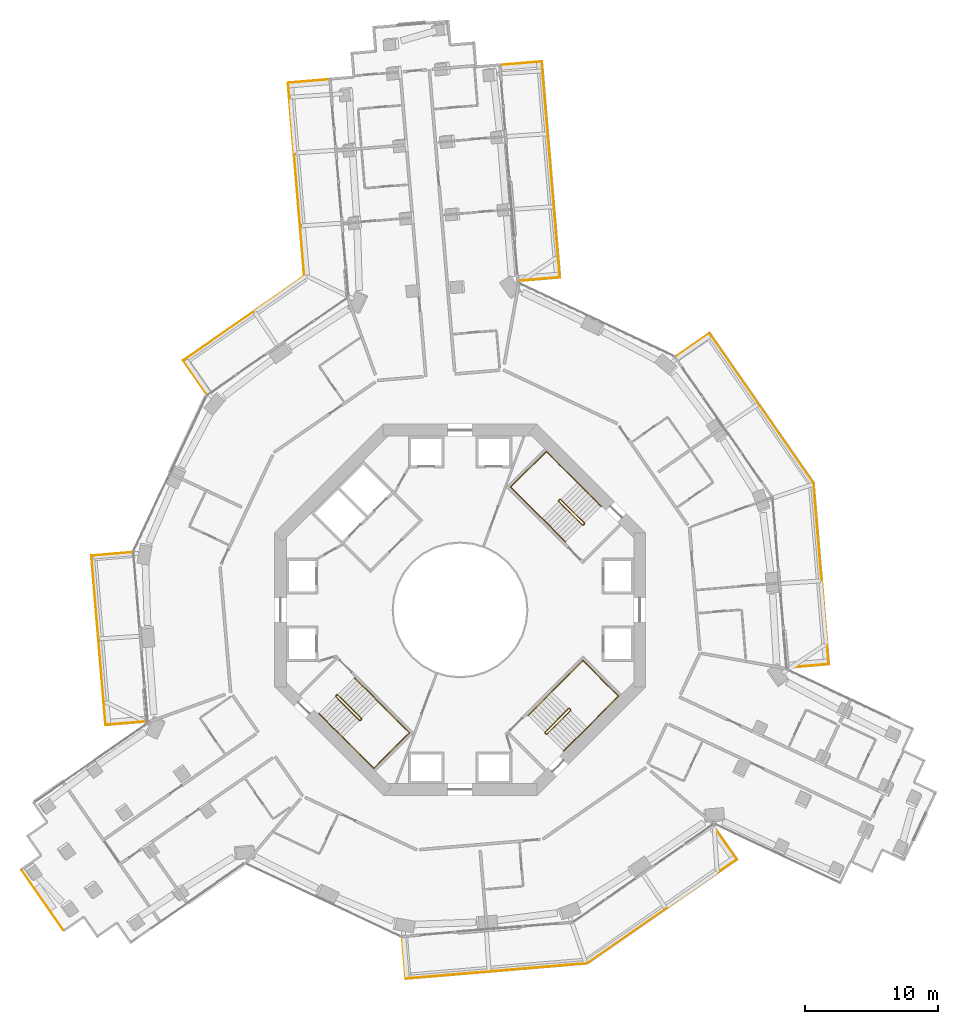
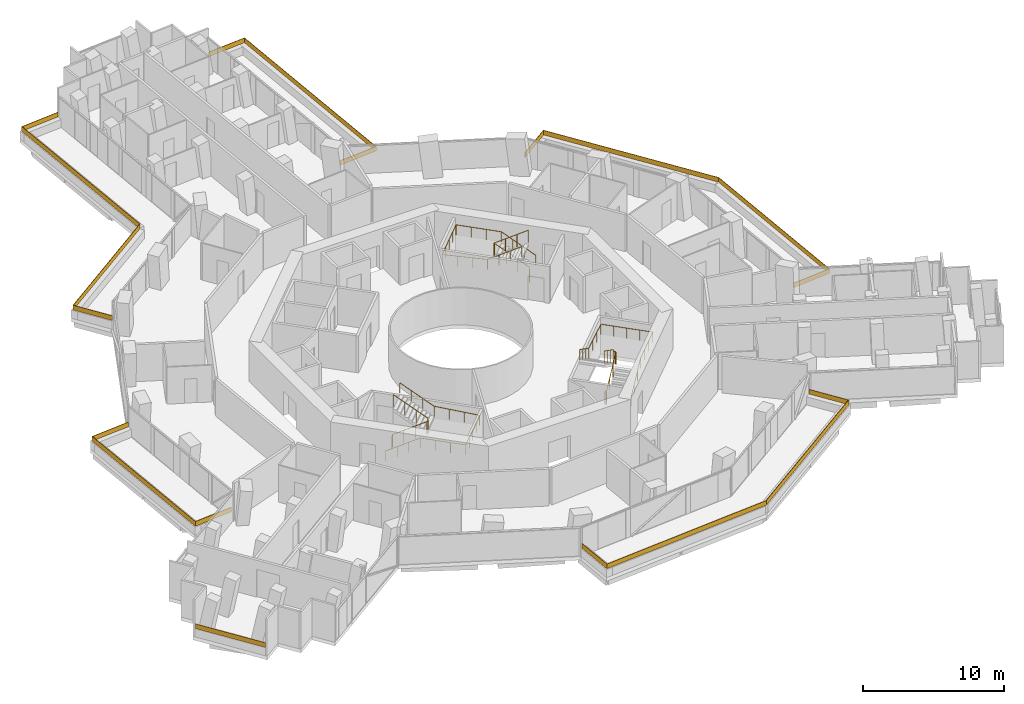
# One storey, part 26 of 26: 12 railings.
"""IFC4 building model written with IfcOpenShell, lengths in metres."""

from ifc_helpers import new_model, si_unit, direction, frame, origin, origin_2d, place, context, subcontext, project, spatial, polyline, rectangle, circle, outline, extrude, material, layer, layer_set, type_object, element, save


model = new_model("IFC4")

# Units and contexts
model_context = context("Model", 3, precision=1e-05, world=origin(), true_north=direction((0.0, 1.0)))
body_context = subcontext(model_context, "Body", "Model", "MODEL_VIEW")
ifc_project = project(units=[si_unit("LENGTHUNIT", "METRE"), si_unit("AREAUNIT", "SQUARE_METRE"), si_unit("VOLUMEUNIT", "CUBIC_METRE"), si_unit("PLANEANGLEUNIT", "RADIAN"), si_unit("MASSUNIT", "GRAM", prefix="KILO")], contexts=[model_context])

# Site, building, storey
site_placement = place(None, origin())
site = spatial("IfcSite", under=ifc_project, at=site_placement, CompositionType="ELEMENT")
building_placement = place(site_placement, origin())
building = spatial("IfcBuilding", under=site, at=building_placement, Name="Verdalira Terraces Hotel", CompositionType="ELEMENT")
storey_placement = place(building_placement, frame((0.0, 0.0, 53.0)))
storey = spatial("IfcBuildingStorey", under=building, at=storey_placement, Name="L11", CompositionType="ELEMENT", Elevation=53.0)

# Railings
ifc_material_1 = material(Name="Laminated glass", Category="glass")
ifc_layer = layer(ifc_material_1, 0.0400390625)
ifc_layer_set = layer_set([ifc_layer], Name="Balcony glass guard 400")
railing_type_1 = type_object("IfcRailingType", Name="Balcony glass guard 400", PredefinedType="GUARDRAIL", material=ifc_layer_set)
railing_1_placement = place(storey_placement, frame((0.0, 0.0, 0.699951)))
element("IfcRailing", 1, at=railing_1_placement, inside=storey, type_object=railing_type_1, Name="Balcony glass guard", PredefinedType="GUARDRAIL", context=body_context, shape_type="SweptSolid", body=[
    extrude(outline(polyline([(-12.949707, 39.726807), (-11.725098, 25.143555), (-20.841309, 18.807617), (-19.083984, 16.279297), (-19.116943, 16.256592), (-20.896973, 18.817627), (-11.766846, 25.16333), (-12.99292, 39.763184), (-9.884766, 40.02417), (-9.881348, 39.984375), (-12.949707, 39.726807)])), origin(), (0.0, 0.0, 1.0), 0.400146),
])
railing_2_placement = place(storey_placement, frame((0.0, 0.0, 0.699951)))
element("IfcRailing", 2, at=railing_2_placement, inside=storey, type_object=railing_type_1, Name="Balcony glass guard", PredefinedType="GUARDRAIL", context=body_context, shape_type="SweptSolid", body=[
    extrude(outline(polyline([(-27.776367, 4.070068), (-26.708496, -8.645264), (-23.640381, -8.387695), (-23.636963, -8.42749), (-26.745117, -8.688477), (-27.81958, 4.106445), (-24.711426, 4.367432), (-24.708008, 4.327637), (-27.776367, 4.070068)])), origin(), (0.0, 0.0, 1.0), 0.400146),
])
railing_3_placement = place(storey_placement, frame((0.0, 0.0, 0.699951)))
element("IfcRailing", 3, at=railing_3_placement, inside=storey, type_object=railing_type_1, Name="Balcony glass guard", PredefinedType="GUARDRAIL", context=body_context, shape_type="SweptSolid", body=[
    extrude(outline(polyline([(-4.070068, -27.776367), (9.587158, -26.629395), (20.841309, -18.807617), (19.083984, -16.279297), (19.116943, -16.256592), (20.896973, -18.817627), (9.601318, -26.668457), (-4.106445, -27.81958), (-4.367432, -24.711426), (-4.327637, -24.708008), (-4.070068, -27.776367)])), origin(), (0.0, 0.0, 1.0), 0.400146),
])
railing_4_placement = place(storey_placement, frame((0.0, 0.0, 0.699951)))
element("IfcRailing", 4, at=railing_4_placement, inside=storey, type_object=railing_type_1, Name="Balcony glass guard", PredefinedType="GUARDRAIL", context=body_context, shape_type="SweptSolid", body=[
    extrude(outline(polyline([(27.776367, -4.070068), (26.629395, 9.587158), (18.807617, 20.841309), (16.279297, 19.083984), (16.256592, 19.116943), (18.817627, 20.896973), (26.668457, 9.601318), (27.81958, -4.106445), (24.711426, -4.367432), (24.708008, -4.327637), (27.776367, -4.070068)])), origin(), (0.0, 0.0, 1.0), 0.400146),
])
railing_5_placement = place(storey_placement, frame((0.0, 0.0, 0.699951)))
element("IfcRailing", 5, at=railing_5_placement, inside=storey, type_object=railing_type_1, Name="Balcony glass guard", PredefinedType="GUARDRAIL", context=body_context, shape_type="SweptSolid", body=[
    extrude(outline(polyline([(7.506592, 25.094482), (6.143066, 41.330078), (3.074951, 41.072266), (3.071533, 41.112305), (6.179688, 41.373291), (7.549561, 25.057861), (4.44165, 24.796875), (4.438232, 24.836914), (7.506592, 25.094482)])), origin(), (0.0, 0.0, 1.0), 0.400146),
])
railing_6_placement = place(storey_placement, frame((-31.483643, -21.881836, 0.699951), z_axis=(0.0, 0.0, 1.0), x_axis=(0.570713568, -0.821149209, 0.0)))
element("IfcRailing", 6, at=railing_6_placement, inside=storey, type_object=railing_type_1, Name="Loggia glass guard", PredefinedType="GUARDRAIL", context=body_context, shape_type="SweptSolid", body=[
    extrude(rectangle(XDim=5.5, YDim=0.040039, at=origin_2d()), origin(), (0.0, 0.0, 1.0), 0.399902),
])
ifc_material_2 = material(Name="Stainless steel", Category="steel")
railing_type_2 = type_object("IfcRailingType", Name="Stair guard 1100", PredefinedType="GUARDRAIL", material=ifc_material_2)
railing_7_placement = place(storey_placement, frame((9.369141, 6.469971, 0.0)))
element("IfcRailing", 7, at=railing_7_placement, inside=storey, type_object=railing_type_2, Name="L11 ST1 stair guard 1", PredefinedType="GUARDRAIL", context=body_context, shape_type="SweptSolid", body=[
    extrude(circle(Radius=0.023926, at=origin_2d()), frame((0.0, 0.0, 1.076172), z_axis=(-0.70832698, -0.705884473, 0.0), x_axis=(0.705884473, -0.70832698, 0.0)), (0.0, 0.0, 1.0), 0.099854),
    extrude(circle(Radius=0.023926, at=origin_2d()), frame((-0.070801, -0.070557, 1.076172), z_axis=(0.300162975, 0.599290904, 0.742127078), x_axis=(-0.894118129, 0.447831187, 0.0)), (0.0, 0.0, 1.0), 0.23584),
    extrude(circle(Radius=0.023926, at=origin_2d()), frame((0.0, 0.070801, 1.250977), z_axis=(-0.599637504, 0.599637504, 0.52997144), x_axis=(-0.707106781, -0.707106781, 0.0)), (0.0, 0.0, 1.0), 2.97168),
    extrude(circle(Radius=0.023926, at=origin_2d()), frame((-1.781982, 1.852783, 2.826172), z_axis=(-1.0, 0.0, 0.0), x_axis=(0.0, -1.0, 0.0)), (0.0, 0.0, 1.0), 0.070557),
    extrude(circle(Radius=0.023926, at=origin_2d()), frame((-1.852539, 1.852783, 2.826172), z_axis=(-0.707106781, -0.707106781, 0.0), x_axis=(0.707106781, -0.707106781, 0.0)), (0.0, 0.0, 1.0), 0.100098),
    extrude(circle(Radius=0.023926, at=origin_2d()), frame((-1.92334, 1.781982, 2.826172), z_axis=(0.0, -0.374954687, 0.92704314), x_axis=(1.0, 0.0, 0.0)), (0.0, 0.0, 1.0), 0.188721),
    extrude(circle(Radius=0.023926, at=origin_2d()), frame((-1.92334, 1.711182, 3.000977), z_axis=(0.599667044, -0.599584886, 0.529997548), x_axis=(0.707058338, 0.707155221, 0.0)), (0.0, 0.0, 1.0), 2.97168),
    extrude(circle(Radius=0.020996, at=origin_2d()), origin(), (0.0, 0.0, 1.0), 1.052002),
    extrude(circle(Radius=0.020996, at=origin_2d()), frame((-0.070801, -0.070557, 0.0)), (0.0, 0.0, 1.0), 1.052002),
    extrude(circle(Radius=0.020996, at=origin_2d()), frame((0.0, 0.070801, 0.175049)), (0.0, 0.0, 1.0), 1.052002),
    extrude(circle(Radius=0.020996, at=origin_2d()), frame((-0.593994, 0.664795, 0.699951)), (0.0, 0.0, 1.0), 1.052002),
    extrude(circle(Radius=0.020996, at=origin_2d()), frame((-1.187988, 1.258789, 1.225098)), (0.0, 0.0, 1.0), 1.052002),
    extrude(circle(Radius=0.020996, at=origin_2d()), frame((-1.781982, 1.852783, 1.75)), (0.0, 0.0, 1.0), 1.052002),
    extrude(circle(Radius=0.020996, at=origin_2d()), frame((-1.852539, 1.852783, 1.75)), (0.0, 0.0, 1.0), 1.052002),
    extrude(circle(Radius=0.020996, at=origin_2d()), frame((-1.92334, 1.781982, 1.75)), (0.0, 0.0, 1.0), 1.052002),
    extrude(circle(Radius=0.020996, at=origin_2d()), frame((-1.92334, 1.711182, 1.925049)), (0.0, 0.0, 1.0), 1.052002),
    extrude(circle(Radius=0.020996, at=origin_2d()), frame((-1.329346, 1.117188, 2.449951)), (0.0, 0.0, 1.0), 1.052002),
    extrude(circle(Radius=0.020996, at=origin_2d()), frame((-0.735352, 0.523438, 2.975098)), (0.0, 0.0, 1.0), 1.052002),
    extrude(circle(Radius=0.020996, at=origin_2d()), frame((-0.141357, -0.070557, 3.5)), (0.0, 0.0, 1.0), 1.052002),
])
railing_8_placement = place(storey_placement, frame((-9.369141, -6.469971, 0.0)))
element("IfcRailing", 8, at=railing_8_placement, inside=storey, type_object=railing_type_2, Name="L11 ST2 stair guard 1", PredefinedType="GUARDRAIL", context=body_context, shape_type="SweptSolid", body=[
    extrude(circle(Radius=0.023926, at=origin_2d()), frame((0.0, 0.0, 1.076172), z_axis=(0.70832698, 0.705884473, 0.0), x_axis=(-0.705884473, 0.70832698, 0.0)), (0.0, 0.0, 1.0), 0.099854),
    extrude(circle(Radius=0.023926, at=origin_2d()), frame((0.070801, 0.070557, 1.076172), z_axis=(-0.300162975, -0.599290904, 0.742127078), x_axis=(0.894118129, -0.447831187, 0.0)), (0.0, 0.0, 1.0), 0.23584),
    extrude(circle(Radius=0.023926, at=origin_2d()), frame((0.0, -0.070801, 1.250977), z_axis=(0.599637504, -0.599637504, 0.52997144), x_axis=(0.707106781, 0.707106781, 0.0)), (0.0, 0.0, 1.0), 2.97168),
    extrude(circle(Radius=0.023926, at=origin_2d()), frame((1.781982, -1.852783, 2.826172), z_axis=(1.0, 0.0, 0.0), x_axis=(0.0, 1.0, 0.0)), (0.0, 0.0, 1.0), 0.070557),
    extrude(circle(Radius=0.023926, at=origin_2d()), frame((1.852539, -1.852783, 2.826172), z_axis=(0.707106781, 0.707106781, 0.0), x_axis=(-0.707106781, 0.707106781, 0.0)), (0.0, 0.0, 1.0), 0.100098),
    extrude(circle(Radius=0.023926, at=origin_2d()), frame((1.92334, -1.781982, 2.826172), z_axis=(0.0, 0.374954687, 0.92704314), x_axis=(-1.0, 0.0, 0.0)), (0.0, 0.0, 1.0), 0.188721),
    extrude(circle(Radius=0.023926, at=origin_2d()), frame((1.92334, -1.711182, 3.000977), z_axis=(-0.599667044, 0.599584886, 0.529997548), x_axis=(-0.707058338, -0.707155221, 0.0)), (0.0, 0.0, 1.0), 2.97168),
    extrude(circle(Radius=0.020996, at=origin_2d()), origin(), (0.0, 0.0, 1.0), 1.052002),
    extrude(circle(Radius=0.020996, at=origin_2d()), frame((0.070801, 0.070557, 0.0)), (0.0, 0.0, 1.0), 1.052002),
    extrude(circle(Radius=0.020996, at=origin_2d()), frame((0.0, -0.070801, 0.175049)), (0.0, 0.0, 1.0), 1.052002),
    extrude(circle(Radius=0.020996, at=origin_2d()), frame((0.593994, -0.664795, 0.699951)), (0.0, 0.0, 1.0), 1.052002),
    extrude(circle(Radius=0.020996, at=origin_2d()), frame((1.187988, -1.258789, 1.225098)), (0.0, 0.0, 1.0), 1.052002),
    extrude(circle(Radius=0.020996, at=origin_2d()), frame((1.781982, -1.852783, 1.75)), (0.0, 0.0, 1.0), 1.052002),
    extrude(circle(Radius=0.020996, at=origin_2d()), frame((1.852539, -1.852783, 1.75)), (0.0, 0.0, 1.0), 1.052002),
    extrude(circle(Radius=0.020996, at=origin_2d()), frame((1.92334, -1.781982, 1.75)), (0.0, 0.0, 1.0), 1.052002),
    extrude(circle(Radius=0.020996, at=origin_2d()), frame((1.92334, -1.711182, 1.925049)), (0.0, 0.0, 1.0), 1.052002),
    extrude(circle(Radius=0.020996, at=origin_2d()), frame((1.329346, -1.117188, 2.449951)), (0.0, 0.0, 1.0), 1.052002),
    extrude(circle(Radius=0.020996, at=origin_2d()), frame((0.735352, -0.523438, 2.975098)), (0.0, 0.0, 1.0), 1.052002),
    extrude(circle(Radius=0.020996, at=origin_2d()), frame((0.141357, 0.070557, 3.5)), (0.0, 0.0, 1.0), 1.052002),
])
railing_9_placement = place(storey_placement, frame((6.469971, -9.369141, 0.0)))
element("IfcRailing", 9, at=railing_9_placement, inside=storey, type_object=railing_type_2, Name="L11 ST3 stair guard 1", PredefinedType="GUARDRAIL", context=body_context, shape_type="SweptSolid", body=[
    extrude(circle(Radius=0.023926, at=origin_2d()), frame((0.0, 0.0, 1.076172), z_axis=(-0.705884473, 0.70832698, 0.0), x_axis=(-0.70832698, -0.705884473, 0.0)), (0.0, 0.0, 1.0), 0.099854),
    extrude(circle(Radius=0.023926, at=origin_2d()), frame((-0.070557, 0.070801, 1.076172), z_axis=(0.599290904, -0.300162975, 0.742127078), x_axis=(0.447831187, 0.894118129, 0.0)), (0.0, 0.0, 1.0), 0.23584),
    extrude(circle(Radius=0.023926, at=origin_2d()), frame((0.070801, 0.0, 1.250977), z_axis=(0.599637504, 0.599637504, 0.52997144), x_axis=(-0.707106781, 0.707106781, 0.0)), (0.0, 0.0, 1.0), 2.97168),
    extrude(circle(Radius=0.023926, at=origin_2d()), frame((1.852783, 1.781982, 2.826172), z_axis=(0.0, 1.0, 0.0), x_axis=(-1.0, 0.0, 0.0)), (0.0, 0.0, 1.0), 0.070557),
    extrude(circle(Radius=0.023926, at=origin_2d()), frame((1.852783, 1.852539, 2.826172), z_axis=(-0.707106781, 0.707106781, 0.0), x_axis=(-0.707106781, -0.707106781, 0.0)), (0.0, 0.0, 1.0), 0.100098),
    extrude(circle(Radius=0.023926, at=origin_2d()), frame((1.781982, 1.92334, 2.826172), z_axis=(-0.374954687, 0.0, 0.92704314), x_axis=(0.0, -1.0, 0.0)), (0.0, 0.0, 1.0), 0.188721),
    extrude(circle(Radius=0.023926, at=origin_2d()), frame((1.711182, 1.92334, 3.000977), z_axis=(-0.599584886, -0.599667044, 0.529997548), x_axis=(0.707155221, -0.707058338, 0.0)), (0.0, 0.0, 1.0), 2.97168),
    extrude(circle(Radius=0.020996, at=origin_2d()), origin(), (0.0, 0.0, 1.0), 1.052002),
    extrude(circle(Radius=0.020996, at=origin_2d()), frame((-0.070557, 0.070801, 0.0)), (0.0, 0.0, 1.0), 1.052002),
    extrude(circle(Radius=0.020996, at=origin_2d()), frame((0.070801, 0.0, 0.175049)), (0.0, 0.0, 1.0), 1.052002),
    extrude(circle(Radius=0.020996, at=origin_2d()), frame((0.664795, 0.593994, 0.699951)), (0.0, 0.0, 1.0), 1.052002),
    extrude(circle(Radius=0.020996, at=origin_2d()), frame((1.258789, 1.187988, 1.225098)), (0.0, 0.0, 1.0), 1.052002),
    extrude(circle(Radius=0.020996, at=origin_2d()), frame((1.852783, 1.781982, 1.75)), (0.0, 0.0, 1.0), 1.052002),
    extrude(circle(Radius=0.020996, at=origin_2d()), frame((1.852783, 1.852539, 1.75)), (0.0, 0.0, 1.0), 1.052002),
    extrude(circle(Radius=0.020996, at=origin_2d()), frame((1.781982, 1.92334, 1.75)), (0.0, 0.0, 1.0), 1.052002),
    extrude(circle(Radius=0.020996, at=origin_2d()), frame((1.711182, 1.92334, 1.925049)), (0.0, 0.0, 1.0), 1.052002),
    extrude(circle(Radius=0.020996, at=origin_2d()), frame((1.117188, 1.329346, 2.449951)), (0.0, 0.0, 1.0), 1.052002),
    extrude(circle(Radius=0.020996, at=origin_2d()), frame((0.523438, 0.735352, 2.975098)), (0.0, 0.0, 1.0), 1.052002),
    extrude(circle(Radius=0.020996, at=origin_2d()), frame((-0.070557, 0.141357, 3.5)), (0.0, 0.0, 1.0), 1.052002),
])
ifc_material_3 = material(Name="Stainless steel", Category="steel")
railing_type_3 = type_object("IfcRailingType", Name="Stair handrail 900", PredefinedType="HANDRAIL", material=ifc_material_3)
railing_10_placement = place(storey_placement, frame((10.641846, 7.813477, 0.175049)))
element("IfcRailing", 10, at=railing_10_placement, inside=storey, type_object=railing_type_3, Name="L11 ST1 stair handrail 1", PredefinedType="HANDRAIL", context=body_context, shape_type="SweptSolid", body=[
    extrude(circle(Radius=0.023926, at=origin_2d()), frame((0.0, 0.0, 0.875977), z_axis=(-0.599584886, 0.599667044, 0.529997548), x_axis=(-0.707155221, -0.707058338, 0.0)), (0.0, 0.0, 1.0), 2.97168),
    extrude(circle(Radius=0.023926, at=origin_2d()), frame((-1.781738, 1.781982, 2.450684), z_axis=(-0.707106781, 0.707106781, 0.0), x_axis=(-0.707106781, -0.707106781, 0.0)), (0.0, 0.0, 1.0), 3.330078),
    extrude(circle(Radius=0.023926, at=origin_2d()), frame((-4.136475, 4.136719, 2.450684), z_axis=(-0.707106781, -0.707106781, 0.0), x_axis=(0.707106781, -0.707106781, 0.0)), (0.0, 0.0, 1.0), 3.800049),
    extrude(circle(Radius=0.023926, at=origin_2d()), frame((-6.823486, 1.449707, 2.450684), z_axis=(0.706131881, -0.706131881, 0.052493163), x_axis=(0.707106781, 0.707106781, 0.0)), (0.0, 0.0, 1.0), 3.334717),
    extrude(circle(Radius=0.023926, at=origin_2d()), frame((-4.46875, -0.905029, 2.625977), z_axis=(0.599584886, -0.599667044, 0.529997548), x_axis=(0.707155221, 0.707058338, 0.0)), (0.0, 0.0, 1.0), 2.97168),
    extrude(circle(Radius=0.020996, at=origin_2d()), origin(), (0.0, 0.0, 1.0), 0.851807),
    extrude(circle(Radius=0.020996, at=origin_2d()), frame((-0.593994, 0.593994, 0.524902)), (0.0, 0.0, 1.0), 0.851807),
    extrude(circle(Radius=0.020996, at=origin_2d()), frame((-1.187744, 1.187988, 1.050049)), (0.0, 0.0, 1.0), 0.851807),
    extrude(circle(Radius=0.020996, at=origin_2d()), frame((-1.781738, 1.781982, 1.574951)), (0.0, 0.0, 1.0), 0.851807),
    extrude(circle(Radius=0.020996, at=origin_2d()), frame((-2.56665, 2.566895, 1.574951)), (0.0, 0.0, 1.0), 0.851807),
    extrude(circle(Radius=0.020996, at=origin_2d()), frame((-3.351562, 3.351807, 1.574951)), (0.0, 0.0, 1.0), 0.851807),
    extrude(circle(Radius=0.020996, at=origin_2d()), frame((-4.136475, 4.136719, 1.574951)), (0.0, 0.0, 1.0), 0.851807),
    extrude(circle(Radius=0.020996, at=origin_2d()), frame((-4.808105, 3.464844, 1.574951)), (0.0, 0.0, 1.0), 0.851807),
    extrude(circle(Radius=0.020996, at=origin_2d()), frame((-5.47998, 2.793213, 1.574951)), (0.0, 0.0, 1.0), 0.851807),
    extrude(circle(Radius=0.020996, at=origin_2d()), frame((-6.151855, 2.121582, 1.574951)), (0.0, 0.0, 1.0), 0.851807),
    extrude(circle(Radius=0.020996, at=origin_2d()), frame((-6.823486, 1.449707, 1.574951)), (0.0, 0.0, 1.0), 0.851807),
    extrude(circle(Radius=0.020996, at=origin_2d()), frame((-6.038574, 0.664795, 1.633301)), (0.0, 0.0, 1.0), 0.851807),
    extrude(circle(Radius=0.020996, at=origin_2d()), frame((-5.253662, -0.120117, 1.69165)), (0.0, 0.0, 1.0), 0.851807),
    extrude(circle(Radius=0.020996, at=origin_2d()), frame((-4.46875, -0.905029, 1.75)), (0.0, 0.0, 1.0), 0.851807),
    extrude(circle(Radius=0.020996, at=origin_2d()), frame((-3.874756, -1.499023, 2.274902)), (0.0, 0.0, 1.0), 0.851807),
    extrude(circle(Radius=0.020996, at=origin_2d()), frame((-3.281006, -2.093018, 2.800049)), (0.0, 0.0, 1.0), 0.851807),
    extrude(circle(Radius=0.020996, at=origin_2d()), frame((-2.687012, -2.687012, 3.324951)), (0.0, 0.0, 1.0), 0.851807),
])
railing_11_placement = place(storey_placement, frame((-10.641846, -7.813477, 0.175049)))
element("IfcRailing", 11, at=railing_11_placement, inside=storey, type_object=railing_type_3, Name="L11 ST2 stair handrail 1", PredefinedType="HANDRAIL", context=body_context, shape_type="SweptSolid", body=[
    extrude(circle(Radius=0.023926, at=origin_2d()), frame((0.0, 0.0, 0.875977), z_axis=(0.599584886, -0.599667044, 0.529997548), x_axis=(0.707155221, 0.707058338, 0.0)), (0.0, 0.0, 1.0), 2.97168),
    extrude(circle(Radius=0.023926, at=origin_2d()), frame((1.781738, -1.781982, 2.450684), z_axis=(0.707106781, -0.707106781, 0.0), x_axis=(0.707106781, 0.707106781, 0.0)), (0.0, 0.0, 1.0), 3.330078),
    extrude(circle(Radius=0.023926, at=origin_2d()), frame((4.136475, -4.136719, 2.450684), z_axis=(0.707106781, 0.707106781, 0.0), x_axis=(-0.707106781, 0.707106781, 0.0)), (0.0, 0.0, 1.0), 3.800049),
    extrude(circle(Radius=0.023926, at=origin_2d()), frame((6.823486, -1.449707, 2.450684), z_axis=(-0.706131881, 0.706131881, 0.052493163), x_axis=(-0.707106781, -0.707106781, 0.0)), (0.0, 0.0, 1.0), 3.334717),
    extrude(circle(Radius=0.023926, at=origin_2d()), frame((4.46875, 0.905029, 2.625977), z_axis=(-0.599584886, 0.599667044, 0.529997548), x_axis=(-0.707155221, -0.707058338, 0.0)), (0.0, 0.0, 1.0), 2.97168),
    extrude(circle(Radius=0.020996, at=origin_2d()), origin(), (0.0, 0.0, 1.0), 0.851807),
    extrude(circle(Radius=0.020996, at=origin_2d()), frame((0.593994, -0.593994, 0.524902)), (0.0, 0.0, 1.0), 0.851807),
    extrude(circle(Radius=0.020996, at=origin_2d()), frame((1.187744, -1.187988, 1.050049)), (0.0, 0.0, 1.0), 0.851807),
    extrude(circle(Radius=0.020996, at=origin_2d()), frame((1.781738, -1.781982, 1.574951)), (0.0, 0.0, 1.0), 0.851807),
    extrude(circle(Radius=0.020996, at=origin_2d()), frame((2.56665, -2.566895, 1.574951)), (0.0, 0.0, 1.0), 0.851807),
    extrude(circle(Radius=0.020996, at=origin_2d()), frame((3.351562, -3.351807, 1.574951)), (0.0, 0.0, 1.0), 0.851807),
    extrude(circle(Radius=0.020996, at=origin_2d()), frame((4.136475, -4.136719, 1.574951)), (0.0, 0.0, 1.0), 0.851807),
    extrude(circle(Radius=0.020996, at=origin_2d()), frame((4.808105, -3.464844, 1.574951)), (0.0, 0.0, 1.0), 0.851807),
    extrude(circle(Radius=0.020996, at=origin_2d()), frame((5.47998, -2.793213, 1.574951)), (0.0, 0.0, 1.0), 0.851807),
    extrude(circle(Radius=0.020996, at=origin_2d()), frame((6.151855, -2.121582, 1.574951)), (0.0, 0.0, 1.0), 0.851807),
    extrude(circle(Radius=0.020996, at=origin_2d()), frame((6.823486, -1.449707, 1.574951)), (0.0, 0.0, 1.0), 0.851807),
    extrude(circle(Radius=0.020996, at=origin_2d()), frame((6.038574, -0.664795, 1.633301)), (0.0, 0.0, 1.0), 0.851807),
    extrude(circle(Radius=0.020996, at=origin_2d()), frame((5.253662, 0.120117, 1.69165)), (0.0, 0.0, 1.0), 0.851807),
    extrude(circle(Radius=0.020996, at=origin_2d()), frame((4.46875, 0.905029, 1.75)), (0.0, 0.0, 1.0), 0.851807),
    extrude(circle(Radius=0.020996, at=origin_2d()), frame((3.874756, 1.499023, 2.274902)), (0.0, 0.0, 1.0), 0.851807),
    extrude(circle(Radius=0.020996, at=origin_2d()), frame((3.281006, 2.093018, 2.800049)), (0.0, 0.0, 1.0), 0.851807),
    extrude(circle(Radius=0.020996, at=origin_2d()), frame((2.687012, 2.687012, 3.324951)), (0.0, 0.0, 1.0), 0.851807),
])
railing_12_placement = place(storey_placement, frame((7.813477, -10.641846, 0.175049)))
element("IfcRailing", 12, at=railing_12_placement, inside=storey, type_object=railing_type_3, Name="L11 ST3 stair handrail 1", PredefinedType="HANDRAIL", context=body_context, shape_type="SweptSolid", body=[
    extrude(circle(Radius=0.023926, at=origin_2d()), frame((0.0, 0.0, 0.875977), z_axis=(0.599667044, 0.599584886, 0.529997548), x_axis=(-0.707058338, 0.707155221, 0.0)), (0.0, 0.0, 1.0), 2.97168),
    extrude(circle(Radius=0.023926, at=origin_2d()), frame((1.781982, 1.781738, 2.450684), z_axis=(0.707106781, 0.707106781, 0.0), x_axis=(-0.707106781, 0.707106781, 0.0)), (0.0, 0.0, 1.0), 3.330078),
    extrude(circle(Radius=0.023926, at=origin_2d()), frame((4.136719, 4.136475, 2.450684), z_axis=(-0.707106781, 0.707106781, 0.0), x_axis=(-0.707106781, -0.707106781, 0.0)), (0.0, 0.0, 1.0), 3.800049),
    extrude(circle(Radius=0.023926, at=origin_2d()), frame((1.449707, 6.823486, 2.450684), z_axis=(-0.706131881, -0.706131881, 0.052493163), x_axis=(0.707106781, -0.707106781, 0.0)), (0.0, 0.0, 1.0), 3.334717),
    extrude(circle(Radius=0.023926, at=origin_2d()), frame((-0.905029, 4.46875, 2.625977), z_axis=(-0.599667044, -0.599584886, 0.529997548), x_axis=(0.707058338, -0.707155221, 0.0)), (0.0, 0.0, 1.0), 2.97168),
    extrude(circle(Radius=0.020996, at=origin_2d()), origin(), (0.0, 0.0, 1.0), 0.851807),
    extrude(circle(Radius=0.020996, at=origin_2d()), frame((0.593994, 0.593994, 0.524902)), (0.0, 0.0, 1.0), 0.851807),
    extrude(circle(Radius=0.020996, at=origin_2d()), frame((1.187988, 1.187744, 1.050049)), (0.0, 0.0, 1.0), 0.851807),
    extrude(circle(Radius=0.020996, at=origin_2d()), frame((1.781982, 1.781738, 1.574951)), (0.0, 0.0, 1.0), 0.851807),
    extrude(circle(Radius=0.020996, at=origin_2d()), frame((2.566895, 2.56665, 1.574951)), (0.0, 0.0, 1.0), 0.851807),
    extrude(circle(Radius=0.020996, at=origin_2d()), frame((3.351807, 3.351562, 1.574951)), (0.0, 0.0, 1.0), 0.851807),
    extrude(circle(Radius=0.020996, at=origin_2d()), frame((4.136719, 4.136475, 1.574951)), (0.0, 0.0, 1.0), 0.851807),
    extrude(circle(Radius=0.020996, at=origin_2d()), frame((3.464844, 4.808105, 1.574951)), (0.0, 0.0, 1.0), 0.851807),
    extrude(circle(Radius=0.020996, at=origin_2d()), frame((2.793213, 5.47998, 1.574951)), (0.0, 0.0, 1.0), 0.851807),
    extrude(circle(Radius=0.020996, at=origin_2d()), frame((2.121582, 6.151855, 1.574951)), (0.0, 0.0, 1.0), 0.851807),
    extrude(circle(Radius=0.020996, at=origin_2d()), frame((1.449707, 6.823486, 1.574951)), (0.0, 0.0, 1.0), 0.851807),
    extrude(circle(Radius=0.020996, at=origin_2d()), frame((0.664795, 6.038574, 1.633301)), (0.0, 0.0, 1.0), 0.851807),
    extrude(circle(Radius=0.020996, at=origin_2d()), frame((-0.120117, 5.253662, 1.69165)), (0.0, 0.0, 1.0), 0.851807),
    extrude(circle(Radius=0.020996, at=origin_2d()), frame((-0.905029, 4.46875, 1.75)), (0.0, 0.0, 1.0), 0.851807),
    extrude(circle(Radius=0.020996, at=origin_2d()), frame((-1.499023, 3.874756, 2.274902)), (0.0, 0.0, 1.0), 0.851807),
    extrude(circle(Radius=0.020996, at=origin_2d()), frame((-2.093018, 3.281006, 2.800049)), (0.0, 0.0, 1.0), 0.851807),
    extrude(circle(Radius=0.020996, at=origin_2d()), frame((-2.687012, 2.687012, 3.324951)), (0.0, 0.0, 1.0), 0.851807),
])

save(model, "model.ifc")
